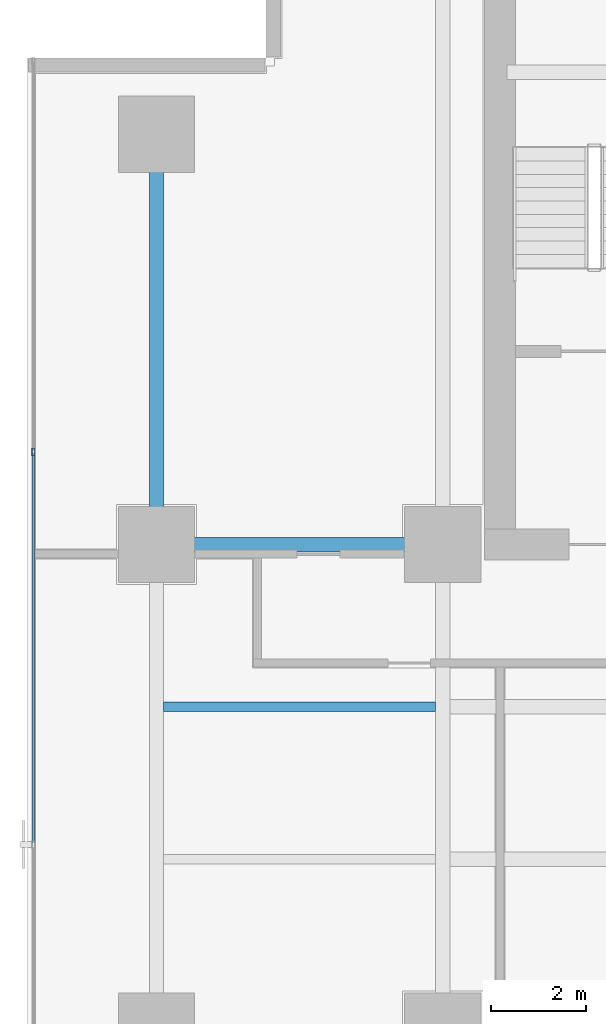
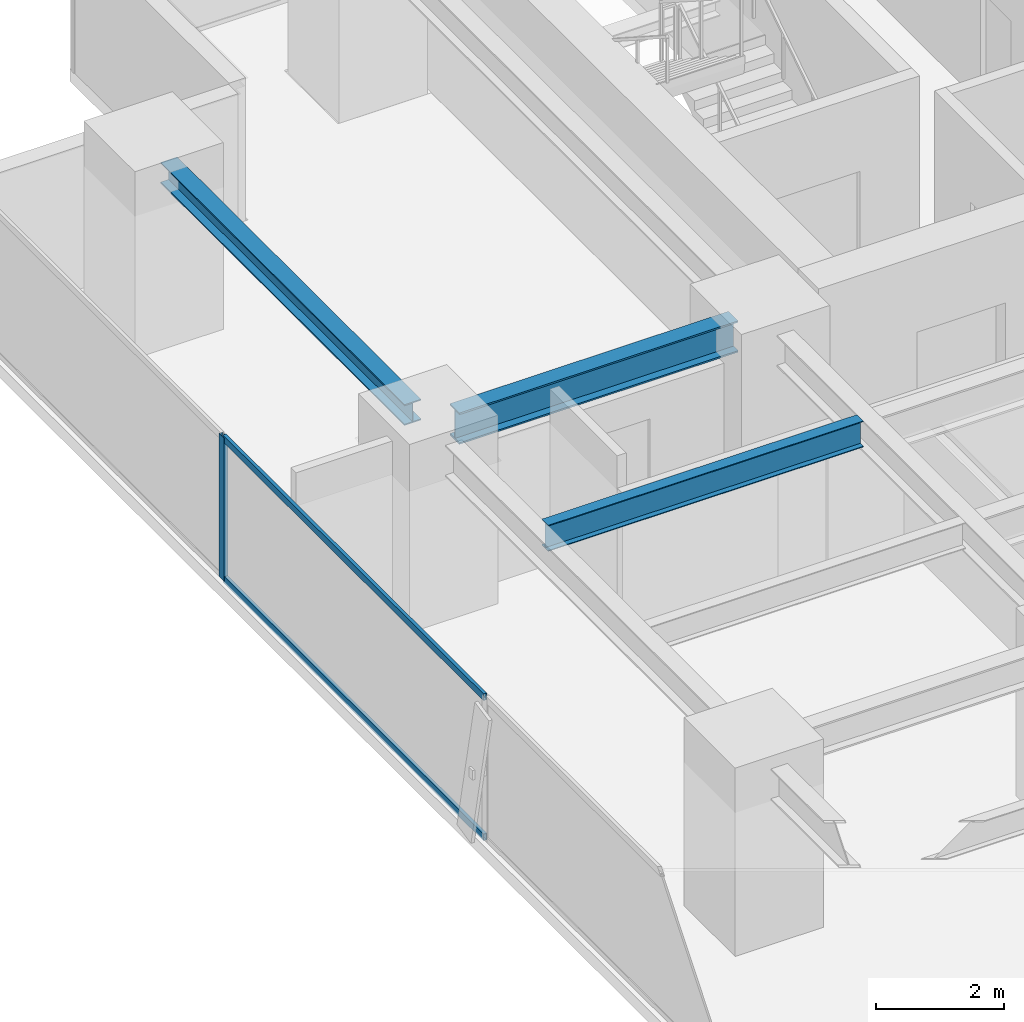
# One storey, part 17 of 37: 3 beams, 3 members, 1 element without a shape of its own.
"""IFC4 building model written with IfcOpenShell, lengths in metres."""

from ifc_helpers import new_model, si_unit, direction, frame, origin, origin_2d, place, context, subcontext, project, spatial, hollow_rectangle, i_section, extrude, source, transform, mapped, material, layer, layer_set, material_profile, profile_set, type_object, element, aggregate, save


model = new_model("IFC4")

# Units and contexts
model_context = context("Model", 3, precision=1e-05, world=origin(), true_north=direction((0.0, 1.0)))
body_context = subcontext(model_context, "Body", "Model", "MODEL_VIEW")
ifc_project = project(units=[si_unit("LENGTHUNIT", "METRE"), si_unit("AREAUNIT", "SQUARE_METRE"), si_unit("VOLUMEUNIT", "CUBIC_METRE"), si_unit("PLANEANGLEUNIT", "RADIAN"), si_unit("MASSUNIT", "GRAM", prefix="KILO")], contexts=[model_context])

# Site, building, storey
site_placement = place(None, origin())
site = spatial("IfcSite", under=ifc_project, at=site_placement, CompositionType="ELEMENT")
building_placement = place(site_placement, origin())
building = spatial("IfcBuilding", under=site, at=building_placement, Name="Sumidabori Civic Tower", CompositionType="ELEMENT")
storey_placement = place(building_placement, frame((0.0, 0.0, 110.0)))
storey = spatial("IfcBuildingStorey", under=building, at=storey_placement, Name="L28", CompositionType="ELEMENT", Elevation=110.0)

# Beams
ifc_material_1 = material(Name="Steel SN490", Category="steel")
ifc_material_profile_1 = material_profile(ifc_material_1, i_section(OverallWidth=0.300048828125, OverallDepth=0.60009765625, WebThickness=0.015380859375, FlangeThickness=0.030029296875, at=origin_2d()), Name="HE 600 B")
ifc_profile_set_1 = profile_set([ifc_material_profile_1], Name="Steel SN490")
beam_type_1 = type_object("IfcBeamType", Name="BM-GIRD-600", PredefinedType="BEAM", material=ifc_profile_set_1)
shared_shape_1 = source(origin(), body_context, "Body", "SweptSolid", [
    extrude(i_section(OverallWidth=0.300048828125, OverallDepth=0.60009765625, WebThickness=0.015380859375, FlangeThickness=0.030029296875, at=origin_2d()), origin(), (0.0, 0.0, 1.0), 5.0400390625),
])
beam_1_placement = place(storey_placement, frame((-22.320068359375, 10.199951171875, 3.06005859375), z_axis=(1.0, 0.0, 0.0), x_axis=(0.0, 1.0, 0.0)))
element("IfcBeam", 1, at=beam_1_placement, inside=storey, type_object=beam_type_1, Name="Primary Girder L28 GX-19", PredefinedType="BEAM", context=body_context, shape_type="MappedRepresentation", body=[
    mapped(shared_shape_1, transform((0.0, 0.0, 0.0), x_axis=(1.0, 0.0, 0.0), y_axis=(0.0, 1.0, 0.0), z_axis=(0.0, 0.0, 1.0), scale=1.0)),
])
ifc_material_profile_2 = material_profile(ifc_material_1, i_section(OverallWidth=0.300048828125, OverallDepth=0.39990234375, WebThickness=0.013427734375, FlangeThickness=0.02392578125, at=origin_2d()), Name="HE 400 B")
ifc_profile_set_2 = profile_set([ifc_material_profile_2], Name="Steel SN490")
beam_type_2 = type_object("IfcBeamType", Name="BM-GIRD-400", PredefinedType="BEAM", material=ifc_profile_set_2)
shared_shape_2 = source(origin(), body_context, "Body", "SweptSolid", [
    extrude(i_section(OverallWidth=0.300048828125, OverallDepth=0.39990234375, WebThickness=0.013427734375, FlangeThickness=0.02392578125, at=origin_2d()), origin(), (0.0, 0.0, 1.0), 7.64013671875),
])
beam_2_placement = place(storey_placement, frame((-22.800048828125, 10.679931640625, 3.159912109375), z_axis=(0.0, 1.0, 0.0), x_axis=(-1.0, 0.0, 0.0)))
element("IfcBeam", 2, at=beam_2_placement, inside=storey, type_object=beam_type_2, Name="Primary Girder L28 GY-24", PredefinedType="BEAM", context=body_context, shape_type="MappedRepresentation", body=[
    mapped(shared_shape_2, transform((0.0, 0.0, 0.0), x_axis=(1.0, 0.0, 0.0), y_axis=(0.0, 1.0, 0.0), z_axis=(0.0, 0.0, 1.0), scale=1.0)),
])
ifc_material_profile_3 = material_profile(ifc_material_1, i_section(OverallWidth=0.199951171875, OverallDepth=0.5, WebThickness=0.01025390625, FlangeThickness=0.01611328125, at=origin_2d()), Name="IPE 500")
ifc_profile_set_3 = profile_set([ifc_material_profile_3], Name="Steel SN490")
beam_type_3 = type_object("IfcBeamType", Name="BM-JST-500", PredefinedType="JOIST", material=ifc_profile_set_3)
shared_shape_3 = source(origin(), body_context, "Body", "SweptSolid", [
    extrude(i_section(OverallWidth=0.199951171875, OverallDepth=0.5, WebThickness=0.01025390625, FlangeThickness=0.01611328125, at=origin_2d()), origin(), (0.0, 0.0, 1.0), 5.699951171875),
])
beam_3_placement = place(storey_placement, frame((-22.64990234375, 6.800048828125, 3.110107421875), z_axis=(1.0, 0.0, 0.0), x_axis=(0.0, 1.0, 0.0)))
element("IfcBeam", 3, at=beam_3_placement, inside=storey, type_object=beam_type_3, Name="Outer Bay Floor Joist L28 JSTO-49", PredefinedType="JOIST", context=body_context, shape_type="MappedRepresentation", body=[
    mapped(shared_shape_3, transform((0.0, 0.0, 0.0), x_axis=(1.0, 0.0, 0.0), y_axis=(0.0, 1.0, 0.0), z_axis=(0.0, 0.0, 1.0), scale=1.0)),
])

# Curtain wall, members
ifc_material_2 = material(Name="Anodised Bronze Aluminium AW-6063-T6", Category="aluminium")
ifc_layer = layer(ifc_material_2, 0.179931640625, Name="Anodised Bronze Aluminium AW-6063-T6")
ifc_layer_set = layer_set([ifc_layer], Name="Anodised Bronze Aluminium AW-6063-T6")
curtain_wall_type = type_object("IfcCurtainWallType", Name="CW-SYS-3", PredefinedType="NOTDEFINED", material=ifc_layer_set)
curtain_wall_placement = place(storey_placement, origin())
curtain_wall = element("IfcCurtainWall", 4, at=curtain_wall_placement, inside=storey, type_object=curtain_wall_type, Name="Curtain Wall CW:L28:R10", PredefinedType="NOTDEFINED")
ifc_material_profile_4 = material_profile(ifc_material_2, hollow_rectangle(XDim=0.06494140625, YDim=0.159912109375, WallThickness=0.0048828125, at=origin_2d()), Name="ALU MULLION 160x65")
ifc_profile_set_4 = profile_set([ifc_material_profile_4], Name="Anodised Bronze Aluminium AW-6063-T6")
member_type_1 = type_object("IfcMemberType", Name="CW-MUL-160", PredefinedType="MULLION", material=ifc_profile_set_4)
shared_shape_4 = source(origin(), body_context, "Body", "SweptSolid", [
    extrude(hollow_rectangle(XDim=0.06494140625, YDim=0.159912109375, WallThickness=0.0048828125, at=origin_2d()), origin(), (0.0, 0.0, 1.0), 2.739990234375),
])
member_1_placement = place(storey_placement, frame((-25.3798828125, 12.14208984375, 0.0), z_axis=(0.0, 0.0, 1.0), x_axis=(1.0, 0.0, 0.0)))
member_1 = element("IfcMember", 5, at=member_1_placement, type_object=member_type_1, Name="CW-3 mullion 2", PredefinedType="MULLION", context=body_context, shape_type="MappedRepresentation", body=[
    mapped(shared_shape_4, transform((0.0, 0.0, 0.0), x_axis=(1.0, 0.0, 0.0), y_axis=(0.0, 1.0, 0.0), z_axis=(0.0, 0.0, 1.0), scale=1.0)),
])
ifc_material_profile_5 = material_profile(ifc_material_2, hollow_rectangle(XDim=0.06005859375, YDim=0.1298828125, WallThickness=0.0048828125, at=origin_2d()), Name="ALU TRANSOM 130x60")
ifc_profile_set_5 = profile_set([ifc_material_profile_5], Name="Anodised Bronze Aluminium AW-6063-T6")
member_type_2 = type_object("IfcMemberType", Name="CW-TRN-130", PredefinedType="USERDEFINED", material=ifc_profile_set_5)
shared_shape_5 = source(origin(), body_context, "Body", "SweptSolid", [
    extrude(hollow_rectangle(XDim=0.06005859375, YDim=0.1298828125, WallThickness=0.0048828125, at=origin_2d()), origin(), (0.0, 0.0, 1.0), 8.1630859375),
])
member_2_placement = place(storey_placement, frame((-25.3798828125, 12.109619140625, 0.030029296875), z_axis=(0.0, -1.0, 0.0), x_axis=(1.0, 0.0, 0.0)))
member_2 = element("IfcMember", 6, at=member_2_placement, type_object=member_type_2, Name="CW-3 transom 2.1", ObjectType="TRANSOM", PredefinedType="USERDEFINED", context=body_context, shape_type="MappedRepresentation", body=[
    mapped(shared_shape_5, transform((0.0, 0.0, 0.0), x_axis=(1.0, 0.0, 0.0), y_axis=(0.0, 1.0, 0.0), z_axis=(0.0, 0.0, 1.0), scale=1.0)),
])
member_3_placement = place(storey_placement, frame((-25.3798828125, 12.109619140625, 2.7099609375), z_axis=(0.0, -1.0, 0.0), x_axis=(1.0, 0.0, 0.0)))
member_3 = element("IfcMember", 7, at=member_3_placement, type_object=member_type_2, Name="CW-3 transom 2.2", ObjectType="TRANSOM", PredefinedType="USERDEFINED", context=body_context, shape_type="MappedRepresentation", body=[
    mapped(shared_shape_5, transform((0.0, 0.0, 0.0), x_axis=(1.0, 0.0, 0.0), y_axis=(0.0, 1.0, 0.0), z_axis=(0.0, 0.0, 1.0), scale=1.0)),
])
aggregate(curtain_wall, [member_1, member_2, member_3])

save(model, "model.ifc")
